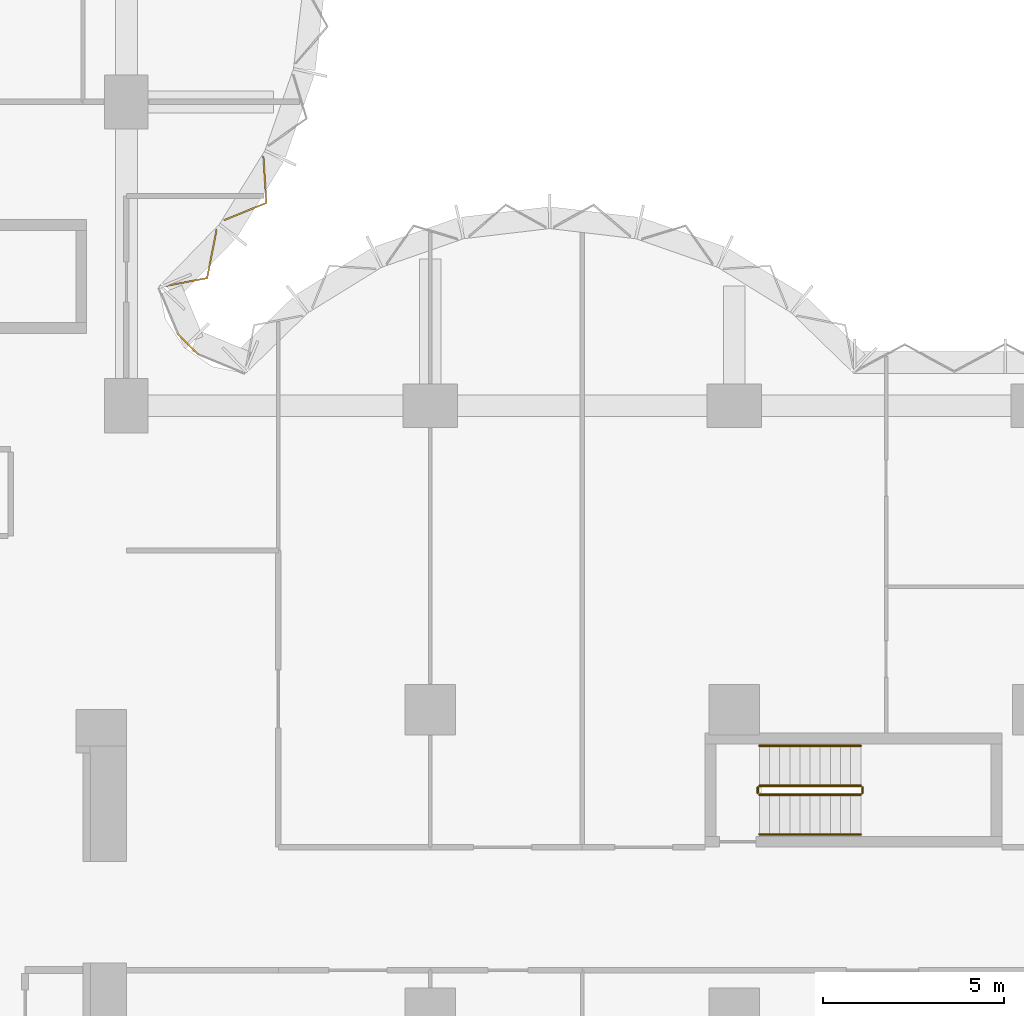
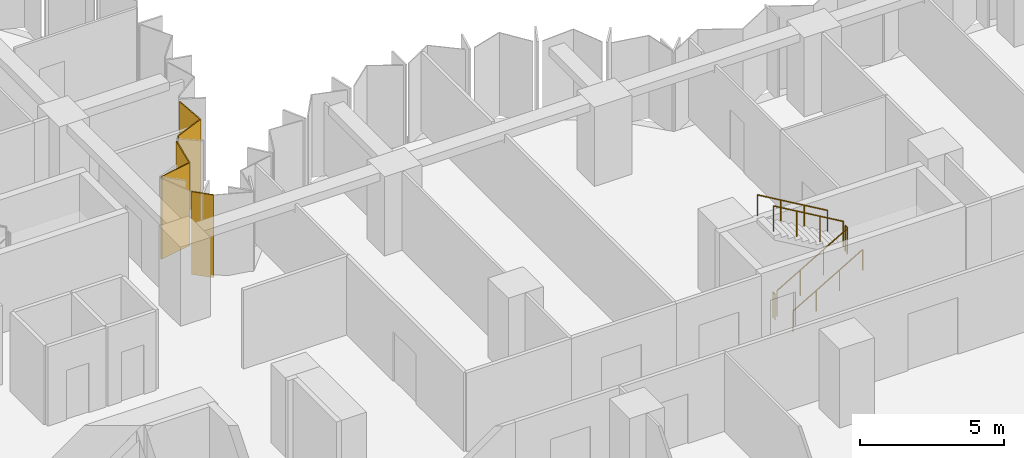
# One storey, part 14 of 15: 6 railings, 3 coverings, 2 elements without a shape of their own.
"""IFC4 building model written with IfcOpenShell, lengths in metres."""

from ifc_helpers import new_model, si_unit, direction, frame, origin, origin_2d, place, context, subcontext, project, spatial, polyline, circle, outline, extrude, material, layer, layer_set, type_object, element, aggregate, save


model = new_model("IFC4")

# Units and contexts
model_context = context("Model", 3, precision=1e-05, world=origin(), true_north=direction((0.0, 1.0)))
body_context = subcontext(model_context, "Body", "Model", "MODEL_VIEW")
ifc_project = project(units=[si_unit("LENGTHUNIT", "METRE"), si_unit("AREAUNIT", "SQUARE_METRE"), si_unit("VOLUMEUNIT", "CUBIC_METRE"), si_unit("PLANEANGLEUNIT", "RADIAN"), si_unit("MASSUNIT", "GRAM", prefix="KILO")], contexts=[model_context])

# Site, building, storey
site_placement = place(None, origin())
site = spatial("IfcSite", under=ifc_project, at=site_placement, CompositionType="ELEMENT")
building_placement = place(site_placement, origin())
building = spatial("IfcBuilding", under=site, at=building_placement, Name="Brevane Broadcast Tower", CompositionType="ELEMENT")
storey_placement = place(building_placement, frame((0.0, 0.0, 76.10009765625)))
storey = spatial("IfcBuildingStorey", under=building, at=storey_placement, Name="L17", CompositionType="ELEMENT", Elevation=76.10009765625)

# Railings
ifc_material_1 = material(Name="Steel S355", Category="steel")
railing_type_1 = type_object("IfcRailingType", Name="Exit stair guard", PredefinedType="GUARDRAIL", material=ifc_material_1)
railing_1_placement = place(storey_placement, frame((42.699951171875, 14.449951171875, 0.16357421875)))
element("IfcRailing", 1, at=railing_1_placement, inside=storey, type_object=railing_type_1, Name="L17 ST-4 stair guard 1", PredefinedType="GUARDRAIL", context=body_context, shape_type="SweptSolid", body=[
    extrude(circle(Radius=0.02392578125, at=origin_2d()), frame((0.0, 0.0, 1.076171875), z_axis=(0.863393664356, 0.0, 0.504530851732), x_axis=(0.0, 1.0, 0.0)), (0.0, 0.0, 1.0), 3.2431640625),
    extrude(circle(Radius=0.02099609375, at=origin_2d()), origin(), (0.0, 0.0, 1.0), 1.052001953125),
    extrude(circle(Radius=0.02099609375, at=origin_2d()), frame((0.933349609375, 0.0, 0.54541015625)), (0.0, 0.0, 1.0), 1.052001953125),
    extrude(circle(Radius=0.02099609375, at=origin_2d()), frame((1.86669921875, 0.0, 1.0908203125)), (0.0, 0.0, 1.0), 1.052001953125),
    extrude(circle(Radius=0.02099609375, at=origin_2d()), frame((2.800048828125, 0.0, 1.63623046875)), (0.0, 0.0, 1.0), 1.052001953125),
])
railing_2_placement = place(storey_placement, frame((45.550048828125, 14.5, 1.7998046875)))
element("IfcRailing", 2, at=railing_2_placement, inside=storey, type_object=railing_type_1, Name="L17 ST-4 stair guard 2", PredefinedType="GUARDRAIL", context=body_context, shape_type="SweptSolid", body=[
    extrude(circle(Radius=0.02392578125, at=origin_2d()), frame((0.0, 0.0, 1.076171875), z_axis=(0.0, 1.0, 0.0), x_axis=(-1.0, 0.0, 0.0)), (0.0, 0.0, 1.0), 0.14990234375),
    extrude(circle(Radius=0.02099609375, at=origin_2d()), origin(), (0.0, 0.0, 1.0), 1.052001953125),
    extrude(circle(Radius=0.02099609375, at=origin_2d()), frame((0.0, 0.14990234375, 0.0)), (0.0, 0.0, 1.0), 1.052001953125),
])
railing_3_placement = place(storey_placement, frame((45.5, 14.699951171875, 1.963623046875)))
element("IfcRailing", 3, at=railing_3_placement, inside=storey, type_object=railing_type_1, Name="L17 ST-4 stair guard 3", PredefinedType="GUARDRAIL", context=body_context, shape_type="SweptSolid", body=[
    extrude(circle(Radius=0.02392578125, at=origin_2d()), frame((0.0, 0.0, 1.076171875), z_axis=(-0.863393664356, 0.0, 0.504530851732), x_axis=(0.0, -1.0, 0.0)), (0.0, 0.0, 1.0), 3.2431640625),
    extrude(circle(Radius=0.02099609375, at=origin_2d()), origin(), (0.0, 0.0, 1.0), 1.052001953125),
    extrude(circle(Radius=0.02099609375, at=origin_2d()), frame((-0.933349609375, 0.0, 0.54541015625)), (0.0, 0.0, 1.0), 1.052001953125),
    extrude(circle(Radius=0.02099609375, at=origin_2d()), frame((-1.86669921875, 0.0, 1.0908203125)), (0.0, 0.0, 1.0), 1.052001953125),
    extrude(circle(Radius=0.02099609375, at=origin_2d()), frame((-2.800048828125, 0.0, 1.63623046875)), (0.0, 0.0, 1.0), 1.052001953125),
])
railing_4_placement = place(storey_placement, frame((42.64990234375, 14.5, 0.0)))
element("IfcRailing", 4, at=railing_4_placement, inside=storey, type_object=railing_type_1, Name="L17 ST-4 stair guard 4", PredefinedType="GUARDRAIL", context=body_context, shape_type="SweptSolid", body=[
    extrude(circle(Radius=0.02392578125, at=origin_2d()), frame((0.0, 0.0, 1.076171875), z_axis=(0.0, 1.0, 0.0), x_axis=(-1.0, 0.0, 0.0)), (0.0, 0.0, 1.0), 0.14990234375),
    extrude(circle(Radius=0.02099609375, at=origin_2d()), origin(), (0.0, 0.0, 1.0), 1.052001953125),
    extrude(circle(Radius=0.02099609375, at=origin_2d()), frame((0.0, 0.14990234375, 0.0)), (0.0, 0.0, 1.0), 1.052001953125),
])
railing_type_2 = type_object("IfcRailingType", Name="Exit stair handrail", PredefinedType="HANDRAIL", material=ifc_material_1)
railing_5_placement = place(storey_placement, frame((42.699951171875, 13.35009765625, 0.16357421875)))
element("IfcRailing", 5, at=railing_5_placement, inside=storey, type_object=railing_type_2, Name="L17 ST-4 stair handrail 1", PredefinedType="HANDRAIL", context=body_context, shape_type="SweptSolid", body=[
    extrude(circle(Radius=0.02392578125, at=origin_2d()), frame((0.0, 0.0, 0.8759765625), z_axis=(0.863393664356, 0.0, 0.504530851732), x_axis=(0.0, 1.0, 0.0)), (0.0, 0.0, 1.0), 3.2431640625),
    extrude(circle(Radius=0.02099609375, at=origin_2d()), origin(), (0.0, 0.0, 1.0), 0.851806640625),
    extrude(circle(Radius=0.02099609375, at=origin_2d()), frame((0.933349609375, 0.0, 0.54541015625)), (0.0, 0.0, 1.0), 0.851806640625),
    extrude(circle(Radius=0.02099609375, at=origin_2d()), frame((1.86669921875, 0.0, 1.0908203125)), (0.0, 0.0, 1.0), 0.851806640625),
    extrude(circle(Radius=0.02099609375, at=origin_2d()), frame((2.800048828125, 0.0, 1.63623046875)), (0.0, 0.0, 1.0), 0.851806640625),
])
railing_6_placement = place(storey_placement, frame((45.5, 15.800048828125, 1.963623046875)))
element("IfcRailing", 6, at=railing_6_placement, inside=storey, type_object=railing_type_2, Name="L17 ST-4 stair handrail 2", PredefinedType="HANDRAIL", context=body_context, shape_type="SweptSolid", body=[
    extrude(circle(Radius=0.02392578125, at=origin_2d()), frame((0.0, 0.0, 0.8759765625), z_axis=(-0.863393664356, 0.0, 0.504530851732), x_axis=(0.0, -1.0, 0.0)), (0.0, 0.0, 1.0), 3.2431640625),
    extrude(circle(Radius=0.02099609375, at=origin_2d()), origin(), (0.0, 0.0, 1.0), 0.851806640625),
    extrude(circle(Radius=0.02099609375, at=origin_2d()), frame((-0.933349609375, 0.0, 0.54541015625)), (0.0, 0.0, 1.0), 0.851806640625),
    extrude(circle(Radius=0.02099609375, at=origin_2d()), frame((-1.86669921875, 0.0, 1.0908203125)), (0.0, 0.0, 1.0), 0.851806640625),
    extrude(circle(Radius=0.02099609375, at=origin_2d()), frame((-2.800048828125, 0.0, 1.63623046875)), (0.0, 0.0, 1.0), 0.851806640625),
])

# Curtain wall, coverings
ifc_material_2 = material(Name="Aluminium 6063-T6 bronze anodised", Category="aluminium")
curtain_wall_type = type_object("IfcCurtainWallType", Name="CW-1 curtain wall", PredefinedType="NOTDEFINED", material=ifc_material_2)
curtain_wall_1_placement = place(storey_placement, origin())
curtain_wall_1 = element("IfcCurtainWall", 7, at=curtain_wall_1_placement, inside=storey, type_object=curtain_wall_type, Name="CW-1 typical tilted unit L17 north bow", PredefinedType="NOTDEFINED")
ifc_material_3 = material(Name="Back-painted bronze glass shadow-box", Category="glass")
ifc_layer = layer(ifc_material_3, 0.0400390625)
ifc_layer_set = layer_set([ifc_layer], Name="Shadow-box panel 40")
covering_type = type_object("IfcCoveringType", Name="Shadow-box panel 40", PredefinedType="CLADDING", material=ifc_layer_set)
covering_1_placement = place(storey_placement, frame((0.0, 0.0, -0.150146484375)))
covering_1 = element("IfcCovering", 8, at=covering_1_placement, type_object=covering_type, Name="Shadow-box panel", PredefinedType="CLADDING", context=body_context, shape_type="SweptSolid", body=[
    extrude(outline(polyline([(26.14404296875, 28.506103515625), (26.17919921875, 28.471923828125), (27.447265625, 28.7138671875), (27.71142578125, 30.0615234375), (27.67626953125, 30.089111328125), (27.4130859375, 28.748046875), (26.14404296875, 28.506103515625)])), origin(), (0.0, 0.0, 1.0), 3.5),
])
covering_2_placement = place(storey_placement, frame((0.0, 0.0, -0.150146484375)))
covering_2 = element("IfcCovering", 9, at=covering_2_placement, type_object=covering_type, Name="Shadow-box panel", PredefinedType="CLADDING", context=body_context, shape_type="SweptSolid", body=[
    extrude(outline(polyline([(27.8759765625, 30.343017578125), (27.912109375, 30.314697265625), (29.089111328125, 30.7958984375), (29.006591796875, 32.08935546875), (28.96533203125, 32.10888671875), (29.04736328125, 30.822265625), (27.8759765625, 30.343017578125)])), origin(), (0.0, 0.0, 1.0), 3.5),
])
aggregate(curtain_wall_1, [covering_1, covering_2])

# Curtain wall, covering
curtain_wall_2_placement = place(storey_placement, origin())
curtain_wall_2 = element("IfcCurtainWall", 10, at=curtain_wall_2_placement, inside=storey, type_object=curtain_wall_type, Name="CW-1 typical tilted unit L17 inner corner", PredefinedType="NOTDEFINED")
covering_3_placement = place(storey_placement, frame((0.0, 0.0, -0.150146484375)))
covering_3 = element("IfcCovering", 11, at=covering_3_placement, type_object=covering_type, Name="Closure panel", PredefinedType="CLADDING", context=body_context, shape_type="SweptSolid", body=[
    extrude(outline(polyline([(27.17138671875, 26.60498046875), (27.2021484375, 26.635498046875), (26.635498046875, 27.2021484375), (26.60498046875, 27.17138671875), (27.17138671875, 26.60498046875)])), origin(), (0.0, 0.0, 1.0), 3.5),
])
aggregate(curtain_wall_2, [covering_3])

save(model, "model.ifc")
